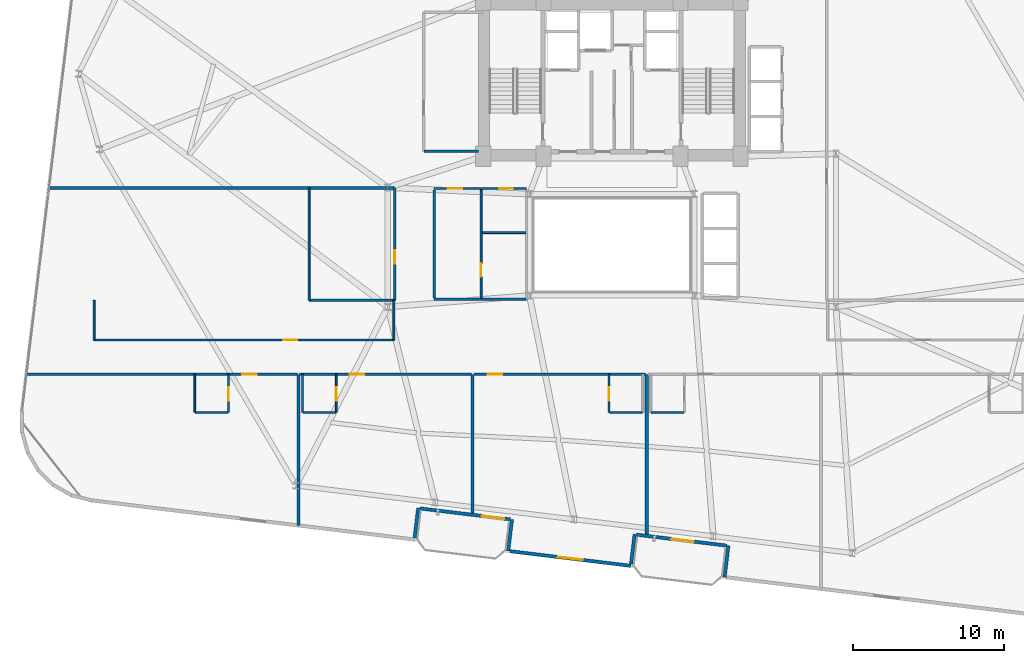
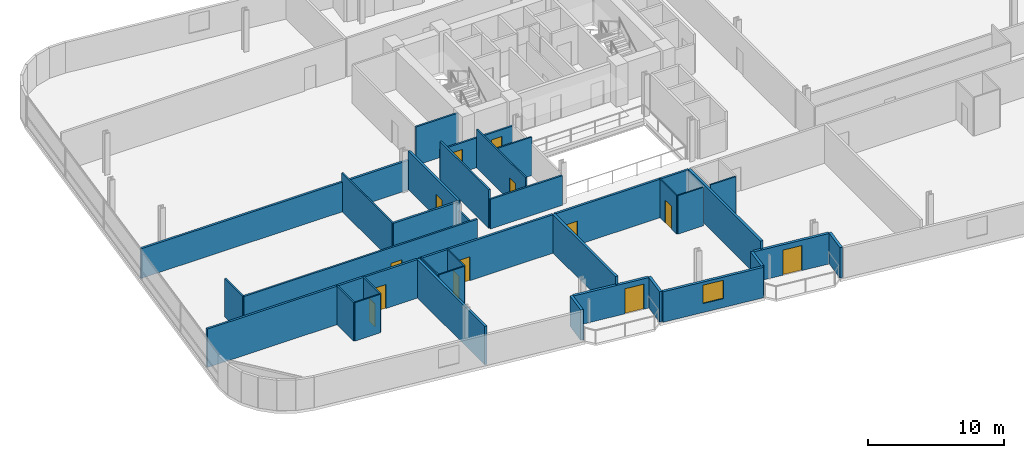
# One storey, part 20 of 25: 35 walls, 13 doors, 1 window, 14 openings.
"""IFC4 building model written with IfcOpenShell, lengths in metres."""

from ifc_helpers import new_model, si_unit, direction, frame, frame_2d, origin, place, context, subcontext, project, spatial, rectangle, extrude, material, layer, layer_set, type_object, element, fill, save


model = new_model("IFC4")

# Units and contexts
model_context = context("Model", 3, precision=1e-05, world=origin(), true_north=direction((0.0, 1.0)))
body_context = subcontext(model_context, "Body", "Model", "MODEL_VIEW")
ifc_project = project(units=[si_unit("LENGTHUNIT", "METRE"), si_unit("AREAUNIT", "SQUARE_METRE"), si_unit("VOLUMEUNIT", "CUBIC_METRE"), si_unit("PLANEANGLEUNIT", "RADIAN"), si_unit("MASSUNIT", "GRAM", prefix="KILO")], contexts=[model_context])

# Site, building, storey
site_placement = place(None, origin())
site = spatial("IfcSite", under=ifc_project, at=site_placement, CompositionType="ELEMENT")
building_placement = place(site_placement, origin())
building = spatial("IfcBuilding", under=site, at=building_placement, Name="Varnelok Gate Tower", CompositionType="ELEMENT")
storey_placement = place(building_placement, frame((0.0, 0.0, 136.5)))
storey = spatial("IfcBuildingStorey", under=building, at=storey_placement, Name="L34", CompositionType="ELEMENT", Elevation=136.5)

# Wall, opening, door
ifc_material_1 = material(Name="Concrete C45/55", Category="concrete")
ifc_layer_1 = layer(ifc_material_1, 0.219970703125)
ifc_layer_set_1 = layer_set([ifc_layer_1], Name="Concrete C45/55")
wall_type_1 = type_object("IfcWallType", Name="EW-BALC-220", PredefinedType="SOLIDWALL", material=ifc_layer_set_1)
wall_1_placement = place(storey_placement, frame((32.48046875, 4.76953125, 0.0), z_axis=(0.0, 0.0, 1.0), x_axis=(-0.992735402148, 0.120318000826, 0.0)))
wall_1 = element("IfcWall", 1, at=wall_1_placement, inside=storey, type_object=wall_type_1, Name="L34 South Terrace Envelope Wall 1", PredefinedType="SOLIDWALL", context=body_context, shape_type="SweptSolid", body=[
    extrude(rectangle(XDim=6.000244140625, YDim=0.219970703125, at=frame_2d((3.0, 0.0))), origin(), (0.0, 0.0, 1.0), 2.72998046875),
])
opening_1_placement = place(wall_1_placement, frame((0.39990234375, 0.0, 0.0)))
opening_1 = element("IfcOpeningElement", 2, at=opening_1_placement, cuts=wall_1, Name="Opening BD-1", PredefinedType="OPENING", context=body_context, shape_type="SweptSolid", body=[
    extrude(rectangle(XDim=1.5, YDim=2.25, at=frame_2d((0.75, 1.125))), frame((0.0, 0.119873046875, 0.0), z_axis=(0.0, -1.0, 0.0), x_axis=(1.0, 0.0, 0.0)), (0.0, 0.0, 1.0), 0.239990234375),
])
ifc_material_2 = material(Name="Anodized Aluminum Alloy 6063-T6", Category="aluminium")
door_type_1 = type_object("IfcDoorType", Name="DR-EXT-BALC1500", OperationType="NOTDEFINED", PredefinedType="DOOR", material=ifc_material_2)
door_1_placement = place(opening_1_placement, origin())
door_1 = element("IfcDoor", 3, at=door_1_placement, inside=storey, type_object=door_type_1, Name="L34 South Balcony Glazed Door 1", OperationType="SINGLE_SWING_RIGHT", OverallHeight=2.25, OverallWidth=1.5, PredefinedType="DOOR", context=body_context, shape_type="SweptSolid", body=[
    extrude(rectangle(XDim=1.5, YDim=2.25, at=frame_2d((0.75, 1.125))), frame((0.0, 0.02490234375, 0.0), z_axis=(0.0, -1.0, 0.0), x_axis=(1.0, 0.0, 0.0)), (0.0, 0.0, 1.0), 0.050048828125),
])
fill(opening_1, door_1)

wall_2_placement = place(storey_placement, frame((46.77587890625, 3.03662109375, 0.0), z_axis=(0.0, 0.0, 1.0), x_axis=(-0.992735402148, 0.120318000826, 0.0)))
wall_2 = element("IfcWall", 4, at=wall_2_placement, inside=storey, type_object=wall_type_1, Name="L34 South Terrace Envelope Wall 2", PredefinedType="SOLIDWALL", context=body_context, shape_type="SweptSolid", body=[
    extrude(rectangle(XDim=6.000244140625, YDim=0.219970703125, at=frame_2d((3.0, 0.0))), origin(), (0.0, 0.0, 1.0), 2.72998046875),
])
opening_2_placement = place(wall_2_placement, frame((2.176025390625, 0.0, 0.0)))
opening_2 = element("IfcOpeningElement", 5, at=opening_2_placement, cuts=wall_2, Name="Opening BD-1", PredefinedType="OPENING", context=body_context, shape_type="SweptSolid", body=[
    extrude(rectangle(XDim=1.5, YDim=2.25, at=frame_2d((0.75, 1.125))), frame((0.0, 0.119873046875, 0.0), z_axis=(0.0, -1.0, 0.0), x_axis=(1.0, 0.0, 0.0)), (0.0, 0.0, 1.0), 0.239990234375),
])
door_2_placement = place(opening_2_placement, origin())
door_2 = element("IfcDoor", 6, at=door_2_placement, inside=storey, type_object=door_type_1, Name="L34 South Balcony Glazed Door 2", OperationType="SINGLE_SWING_LEFT", OverallHeight=2.25, OverallWidth=1.5, PredefinedType="DOOR", context=body_context, shape_type="SweptSolid", body=[
    extrude(rectangle(XDim=1.5, YDim=2.25, at=frame_2d((0.75, 1.125))), frame((0.0, 0.02490234375, 0.0), z_axis=(0.0, -1.0, 0.0), x_axis=(1.0, 0.0, 0.0)), (0.0, 0.0, 1.0), 0.050048828125),
])
fill(opening_2, door_2)

# Walls
wall_3_placement = place(storey_placement, frame((26.16845703125, 3.555419921875, 0.0), z_axis=(0.0, 0.0, 1.0), x_axis=(0.120290754542, 0.992738703976, 0.0)))
element("IfcWall", 7, at=wall_3_placement, inside=storey, type_object=wall_type_1, Name="L34 Perimeter Facade Closure Wall 8", PredefinedType="SOLIDWALL", context=body_context, shape_type="SweptSolid", body=[
    extrude(rectangle(XDim=1.974853515625, YDim=0.219970703125, at=frame_2d((0.9873046875, 0.0))), origin(), (0.0, 0.0, 1.0), 2.72998046875),
])
wall_4_placement = place(storey_placement, frame((32.600830078125, 4.764892578125, 0.0), z_axis=(0.0, 0.0, 1.0), x_axis=(-0.120327895535, -0.992734202874, 0.0)))
element("IfcWall", 8, at=wall_4_placement, inside=storey, type_object=wall_type_1, Name="L34 Perimeter Facade Closure Wall 9", PredefinedType="SOLIDWALL", context=body_context, shape_type="SweptSolid", body=[
    extrude(rectangle(XDim=2.099853515625, YDim=0.219970703125, at=frame_2d((1.0498046875, 0.0))), origin(), (0.0, 0.0, 1.0), 2.72998046875),
])

# Wall, opening, window
wall_5_placement = place(storey_placement, frame((32.47216796875, 2.6650390625, 0.0), z_axis=(0.0, 0.0, 1.0), x_axis=(0.992734661931, -0.120324108143, 0.0)))
wall_5 = element("IfcWall", 9, at=wall_5_placement, inside=storey, type_object=wall_type_1, Name="L34 Perimeter Facade Closure Wall 10", PredefinedType="SOLIDWALL", context=body_context, shape_type="SweptSolid", body=[
    extrude(rectangle(XDim=8.034912109375, YDim=0.219970703125, at=frame_2d((4.017578125, 0.0))), origin(), (0.0, 0.0, 1.0), 2.72998046875),
])
opening_3_placement = place(wall_5_placement, frame((3.1923828125, 0.0, 0.800048828125)))
opening_3 = element("IfcOpeningElement", 10, at=opening_3_placement, cuts=wall_5, Name="Opening WN3", PredefinedType="OPENING", context=body_context, shape_type="SweptSolid", body=[
    extrude(rectangle(XDim=1.64990234375, YDim=1.64990234375, at=frame_2d((0.824951171875, 0.824951171875))), frame((0.0, 0.119873046875, 0.0), z_axis=(0.0, -1.0, 0.0), x_axis=(1.0, 0.0, 0.0)), (0.0, 0.0, 1.0), 0.239990234375),
])
ifc_material_3 = material(Name="Low-E Laminated Double Glazing IGU", Category="glass")
window_type = type_object("IfcWindowType", Name="WN-HTL-1650", PartitioningType="SINGLE_PANEL", PredefinedType="WINDOW", material=ifc_material_3)
window_placement = place(opening_3_placement, origin())
window = element("IfcWindow", 11, at=window_placement, inside=storey, type_object=window_type, Name="L34 Perimeter Vision Window 10", OverallHeight=1.64990234375, OverallWidth=1.64990234375, PartitioningType="SINGLE_PANEL", PredefinedType="WINDOW", context=body_context, shape_type="SweptSolid", body=[
    extrude(rectangle(XDim=1.64990234375, YDim=1.64990234375, at=frame_2d((0.824951171875, 0.824951171875))), frame((0.0, 0.030029296875, 0.0), z_axis=(0.0, -1.0, 0.0), x_axis=(1.0, 0.0, 0.0)), (0.0, 0.0, 1.0), 0.06005859375),
])
fill(opening_3, window)

# Walls
wall_6_placement = place(storey_placement, frame((40.4638671875, 1.822265625, 0.0), z_axis=(0.0, 0.0, 1.0), x_axis=(0.120275992932, 0.992740492538, 0.0)))
element("IfcWall", 12, at=wall_6_placement, inside=storey, type_object=wall_type_1, Name="L34 Perimeter Facade Closure Wall 11", PredefinedType="SOLIDWALL", context=body_context, shape_type="SweptSolid", body=[
    extrude(rectangle(XDim=1.97509765625, YDim=0.219970703125, at=frame_2d((0.987548828125, 0.0))), origin(), (0.0, 0.0, 1.0), 2.72998046875),
])
wall_7_placement = place(storey_placement, frame((46.89599609375, 3.031982421875, 0.0), z_axis=(0.0, 0.0, 1.0), x_axis=(-0.120327895535, -0.992734202874, 0.0)))
element("IfcWall", 13, at=wall_7_placement, inside=storey, type_object=wall_type_1, Name="L34 Perimeter Facade Closure Wall 12", PredefinedType="SOLIDWALL", context=body_context, shape_type="SweptSolid", body=[
    extrude(rectangle(XDim=2.099853515625, YDim=0.219970703125, at=frame_2d((1.0498046875, 0.0))), origin(), (0.0, 0.0, 1.0), 2.72998046875),
])

# Wall, opening, door
ifc_material_4 = material(Name="Gypsum Plasterboard Acoustic Partition", Category="gypsum")
ifc_layer_2 = layer(ifc_material_4, 0.179931640625)
ifc_layer_set_2 = layer_set([ifc_layer_2], Name="Gypsum Plasterboard Acoustic Partition")
wall_type_2 = type_object("IfcWallType", Name="PW-CORR-180", PredefinedType="PARTITIONING", material=ifc_layer_set_2)
wall_8_placement = place(storey_placement, frame((0.581298828125, 14.35009765625, 0.0), z_axis=(0.0, 0.0, 1.0), x_axis=(1.0, 0.0, 0.0)))
wall_8 = element("IfcWall", 14, at=wall_8_placement, inside=storey, type_object=wall_type_2, Name="Interior Partition", PredefinedType="PARTITIONING", context=body_context, shape_type="SweptSolid", body=[
    extrude(rectangle(XDim=17.838623046875, YDim=0.179931640625, at=frame_2d((8.91943359375, 0.0))), origin(), (0.0, 0.0, 1.0), 3.449951171875),
])
opening_4_placement = place(wall_8_placement, frame((14.195556640625, 0.0, 0.0)))
opening_4 = element("IfcOpeningElement", 15, at=opening_4_placement, cuts=wall_8, Name="Opening D-HT", PredefinedType="OPENING", context=body_context, shape_type="SweptSolid", body=[
    extrude(rectangle(XDim=0.949951171875, YDim=2.14990234375, at=frame_2d((0.47509765625, 1.074951171875))), frame((0.0, 0.099853515625, 0.0), z_axis=(0.0, -1.0, 0.0), x_axis=(1.0, 0.0, 0.0)), (0.0, 0.0, 1.0), 0.199951171875),
])
ifc_material_5 = material(Name="Engineered Hardwood Timber", Category="wood")
door_type_2 = type_object("IfcDoorType", Name="DR-HTL-950", OperationType="NOTDEFINED", PredefinedType="DOOR", material=ifc_material_5)
door_3_placement = place(opening_4_placement, origin())
door_3 = element("IfcDoor", 16, at=door_3_placement, inside=storey, type_object=door_type_2, Name="L34 Guest Room 01 Entrance Door", OperationType="SINGLE_SWING_RIGHT", OverallHeight=2.14990234375, OverallWidth=0.949951171875, PredefinedType="DOOR", context=body_context, shape_type="SweptSolid", body=[
    extrude(rectangle(XDim=0.949951171875, YDim=2.14990234375, at=frame_2d((0.47509765625, 1.074951171875))), frame((0.0, 0.02490234375, 0.0), z_axis=(0.0, -1.0, 0.0), x_axis=(1.0, 0.0, 0.0)), (0.0, 0.0, 1.0), 0.050048828125),
])
fill(opening_4, door_3)

wall_9_placement = place(storey_placement, frame((18.580078125, 14.35009765625, 0.0), z_axis=(0.0, 0.0, 1.0), x_axis=(1.0, 0.0, 0.0)))
wall_9 = element("IfcWall", 17, at=wall_9_placement, inside=storey, type_object=wall_type_2, Name="Interior Partition", PredefinedType="PARTITIONING", context=body_context, shape_type="SweptSolid", body=[
    extrude(rectangle(XDim=11.33984375, YDim=0.179931640625, at=frame_2d((5.669921875, 0.0))), origin(), (0.0, 0.0, 1.0), 3.449951171875),
])
opening_5_placement = place(wall_9_placement, frame((3.313232421875, 0.0, 0.0)))
opening_5 = element("IfcOpeningElement", 18, at=opening_5_placement, cuts=wall_9, Name="Opening D-HT", PredefinedType="OPENING", context=body_context, shape_type="SweptSolid", body=[
    extrude(rectangle(XDim=0.949951171875, YDim=2.14990234375, at=frame_2d((0.47509765625, 1.074951171875))), frame((0.0, 0.099853515625, 0.0), z_axis=(0.0, -1.0, 0.0), x_axis=(1.0, 0.0, 0.0)), (0.0, 0.0, 1.0), 0.199951171875),
])
door_4_placement = place(opening_5_placement, origin())
door_4 = element("IfcDoor", 19, at=door_4_placement, inside=storey, type_object=door_type_2, Name="L34 Guest Room 02 Entrance Door", OperationType="SINGLE_SWING_LEFT", OverallHeight=2.14990234375, OverallWidth=0.949951171875, PredefinedType="DOOR", context=body_context, shape_type="SweptSolid", body=[
    extrude(rectangle(XDim=0.949951171875, YDim=2.14990234375, at=frame_2d((0.47509765625, 1.074951171875))), frame((0.0, 0.02490234375, 0.0), z_axis=(0.0, -1.0, 0.0), x_axis=(1.0, 0.0, 0.0)), (0.0, 0.0, 1.0), 0.050048828125),
])
fill(opening_5, door_4)

wall_10_placement = place(storey_placement, frame((30.080078125, 14.35009765625, 0.0), z_axis=(0.0, 0.0, 1.0), x_axis=(1.0, 0.0, 0.0)))
wall_10 = element("IfcWall", 20, at=wall_10_placement, inside=storey, type_object=wall_type_2, Name="Interior Partition", PredefinedType="PARTITIONING", context=body_context, shape_type="SweptSolid", body=[
    extrude(rectangle(XDim=11.33984375, YDim=0.179931640625, at=frame_2d((5.669921875, 0.0))), origin(), (0.0, 0.0, 1.0), 3.449951171875),
])
opening_6_placement = place(wall_10_placement, frame((0.92333984375, 0.0, 0.0)))
opening_6 = element("IfcOpeningElement", 21, at=opening_6_placement, cuts=wall_10, Name="Opening D-HT", PredefinedType="OPENING", context=body_context, shape_type="SweptSolid", body=[
    extrude(rectangle(XDim=0.949951171875, YDim=2.14990234375, at=frame_2d((0.47509765625, 1.074951171875))), frame((0.0, 0.099853515625, 0.0), z_axis=(0.0, -1.0, 0.0), x_axis=(1.0, 0.0, 0.0)), (0.0, 0.0, 1.0), 0.199951171875),
])
door_5_placement = place(opening_6_placement, origin())
door_5 = element("IfcDoor", 22, at=door_5_placement, inside=storey, type_object=door_type_2, Name="L34 Guest Room 03 Entrance Door", OperationType="SINGLE_SWING_RIGHT", OverallHeight=2.14990234375, OverallWidth=0.949951171875, PredefinedType="DOOR", context=body_context, shape_type="SweptSolid", body=[
    extrude(rectangle(XDim=0.949951171875, YDim=2.14990234375, at=frame_2d((0.47509765625, 1.074951171875))), frame((0.0, 0.02490234375, 0.0), z_axis=(0.0, -1.0, 0.0), x_axis=(1.0, 0.0, 0.0)), (0.0, 0.0, 1.0), 0.050048828125),
])
fill(opening_6, door_5)

wall_11_placement = place(storey_placement, frame((24.85009765625, 19.239990234375, 0.0), z_axis=(0.0, 0.0, 1.0), x_axis=(0.0, 1.0, 0.0)))
wall_11 = element("IfcWall", 23, at=wall_11_placement, inside=storey, type_object=wall_type_2, Name="Interior Partition", PredefinedType="PARTITIONING", context=body_context, shape_type="SweptSolid", body=[
    extrude(rectangle(XDim=7.419921875, YDim=0.179931640625, at=frame_2d((3.7099609375, 0.0))), origin(), (0.0, 0.0, 1.0), 3.449951171875),
])
opening_7_placement = place(wall_11_placement, frame((2.39990234375, 0.0, 0.0)))
opening_7 = element("IfcOpeningElement", 24, at=opening_7_placement, cuts=wall_11, Name="Opening D-I3", PredefinedType="OPENING", context=body_context, shape_type="SweptSolid", body=[
    extrude(rectangle(XDim=0.919921875, YDim=2.050048828125, at=frame_2d((0.4599609375, 1.02490234375))), frame((0.0, 0.099853515625, 0.0), z_axis=(0.0, -1.0, 0.0), x_axis=(1.0, 0.0, 0.0)), (0.0, 0.0, 1.0), 0.199951171875),
])
door_type_3 = type_object("IfcDoorType", Name="DR-INT-920", OperationType="NOTDEFINED", PredefinedType="DOOR", material=ifc_material_5)
door_6_placement = place(opening_7_placement, origin())
door_6 = element("IfcDoor", 25, at=door_6_placement, inside=storey, type_object=door_type_3, Name="L34 West Playroom Door", OperationType="SINGLE_SWING_LEFT", OverallHeight=2.050048828125, OverallWidth=0.919921875, PredefinedType="DOOR", context=body_context, shape_type="SweptSolid", body=[
    extrude(rectangle(XDim=0.919921875, YDim=2.050048828125, at=frame_2d((0.4599609375, 1.02490234375))), frame((0.0, 0.02490234375, 0.0), z_axis=(0.0, -1.0, 0.0), x_axis=(1.0, 0.0, 0.0)), (0.0, 0.0, 1.0), 0.050048828125),
])
fill(opening_7, door_6)

# Walls
wall_12_placement = place(storey_placement, frame((19.199951171875, 19.239990234375, 0.0), z_axis=(0.0, 0.0, 1.0), x_axis=(1.0, 0.0, 0.0)))
element("IfcWall", 26, at=wall_12_placement, inside=storey, type_object=wall_type_2, Name="Interior Partition", PredefinedType="PARTITIONING", context=body_context, shape_type="SweptSolid", body=[
    extrude(rectangle(XDim=5.650146484375, YDim=0.179931640625, at=frame_2d((2.8251953125, 0.0))), origin(), (0.0, 0.0, 1.0), 3.449951171875),
])
wall_13_placement = place(storey_placement, frame((2.073486328125, 26.659912109375, 0.0), z_axis=(0.0, 0.0, 1.0), x_axis=(1.0, 0.0, 0.0)))
element("IfcWall", 27, at=wall_13_placement, inside=storey, type_object=wall_type_2, Name="Interior Partition", PredefinedType="PARTITIONING", context=body_context, shape_type="SweptSolid", body=[
    extrude(rectangle(XDim=22.776611328125, YDim=0.179931640625, at=frame_2d((11.38818359375, 0.0))), origin(), (0.0, 0.0, 1.0), 2.662109375),
])
ifc_layer_3 = layer(ifc_material_4, 0.114990234375)
ifc_layer_set_3 = layer_set([ifc_layer_3], Name="Gypsum Plasterboard Acoustic Partition")
wall_type_3 = type_object("IfcWallType", Name="PW-ENS-125", PredefinedType="PARTITIONING", material=ifc_layer_set_3)
wall_14_placement = place(storey_placement, frame((11.679931640625, 11.830078125, 0.0), z_axis=(0.0, 0.0, 1.0), x_axis=(1.0, 0.0, 0.0)))
element("IfcWall", 28, at=wall_14_placement, inside=storey, type_object=wall_type_3, Name="Interior Partition", PredefinedType="PARTITIONING", context=body_context, shape_type="SweptSolid", body=[
    extrude(rectangle(XDim=2.150146484375, YDim=0.114990234375, at=frame_2d((1.0751953125, 0.0))), origin(), (0.0, 0.0, 1.0), 3.449951171875),
])

# Wall, opening, door
wall_15_placement = place(storey_placement, frame((13.8701171875, 11.830078125, 0.0), z_axis=(0.0, 0.0, 1.0), x_axis=(0.0, 1.0, 0.0)))
wall_15 = element("IfcWall", 29, at=wall_15_placement, inside=storey, type_object=wall_type_3, Name="Interior Partition", PredefinedType="PARTITIONING", context=body_context, shape_type="SweptSolid", body=[
    extrude(rectangle(XDim=2.52001953125, YDim=0.114990234375, at=frame_2d((1.260009765625, 0.0))), origin(), (0.0, 0.0, 1.0), 3.449951171875),
])
opening_8_placement = place(wall_15_placement, frame((0.760009765625, 0.0, 0.0)))
opening_8 = element("IfcOpeningElement", 30, at=opening_8_placement, cuts=wall_15, Name="Opening D-WC", PredefinedType="OPENING", context=body_context, shape_type="SweptSolid", body=[
    extrude(rectangle(XDim=0.89990234375, YDim=2.050048828125, at=frame_2d((0.449951171875, 1.02490234375))), frame((0.0, 0.0673828125, 0.0), z_axis=(0.0, -1.0, 0.0), x_axis=(1.0, 0.0, 0.0)), (0.0, 0.0, 1.0), 0.135009765625),
])
door_type_4 = type_object("IfcDoorType", Name="DR-BATH-900", OperationType="NOTDEFINED", PredefinedType="DOOR", material=ifc_material_5)
door_7_placement = place(opening_8_placement, origin())
door_7 = element("IfcDoor", 31, at=door_7_placement, inside=storey, type_object=door_type_4, Name="L34 Guest En-Suite 01 Door", OperationType="SINGLE_SWING_LEFT", OverallHeight=2.050048828125, OverallWidth=0.89990234375, PredefinedType="DOOR", context=body_context, shape_type="SweptSolid", body=[
    extrude(rectangle(XDim=0.89990234375, YDim=2.050048828125, at=frame_2d((0.449951171875, 1.02490234375))), frame((0.0, 0.02490234375, 0.0), z_axis=(0.0, -1.0, 0.0), x_axis=(1.0, 0.0, 0.0)), (0.0, 0.0, 1.0), 0.050048828125),
])
fill(opening_8, door_7)

# Walls
wall_16_placement = place(storey_placement, frame((11.639892578125, 11.830078125, 0.0), z_axis=(0.0, 0.0, 1.0), x_axis=(0.0, 1.0, 0.0)))
element("IfcWall", 32, at=wall_16_placement, inside=storey, type_object=wall_type_3, Name="Interior Partition", PredefinedType="PARTITIONING", context=body_context, shape_type="SweptSolid", body=[
    extrude(rectangle(XDim=2.52001953125, YDim=0.114990234375, at=frame_2d((1.260009765625, 0.0))), origin(), (0.0, 0.0, 1.0), 3.449951171875),
])
wall_17_placement = place(storey_placement, frame((18.800048828125, 11.830078125, 0.0), z_axis=(0.0, 0.0, 1.0), x_axis=(1.0, 0.0, 0.0)))
element("IfcWall", 33, at=wall_17_placement, inside=storey, type_object=wall_type_3, Name="Interior Partition", PredefinedType="PARTITIONING", context=body_context, shape_type="SweptSolid", body=[
    extrude(rectangle(XDim=2.14990234375, YDim=0.114990234375, at=frame_2d((1.074951171875, 0.0))), origin(), (0.0, 0.0, 1.0), 3.449951171875),
])

# Wall, opening, door
wall_18_placement = place(storey_placement, frame((20.989990234375, 11.830078125, 0.0), z_axis=(0.0, 0.0, 1.0), x_axis=(0.0, 1.0, 0.0)))
wall_18 = element("IfcWall", 34, at=wall_18_placement, inside=storey, type_object=wall_type_3, Name="Interior Partition", PredefinedType="PARTITIONING", context=body_context, shape_type="SweptSolid", body=[
    extrude(rectangle(XDim=2.52001953125, YDim=0.114990234375, at=frame_2d((1.260009765625, 0.0))), origin(), (0.0, 0.0, 1.0), 3.449951171875),
])
opening_9_placement = place(wall_18_placement, frame((0.760009765625, 0.0, 0.0)))
opening_9 = element("IfcOpeningElement", 35, at=opening_9_placement, cuts=wall_18, Name="Opening D-WC", PredefinedType="OPENING", context=body_context, shape_type="SweptSolid", body=[
    extrude(rectangle(XDim=0.89990234375, YDim=2.050048828125, at=frame_2d((0.449951171875, 1.02490234375))), frame((0.0, 0.0673828125, 0.0), z_axis=(0.0, -1.0, 0.0), x_axis=(1.0, 0.0, 0.0)), (0.0, 0.0, 1.0), 0.135009765625),
])
door_8_placement = place(opening_9_placement, origin())
door_8 = element("IfcDoor", 36, at=door_8_placement, inside=storey, type_object=door_type_4, Name="L34 Guest En-Suite 02 Door", OperationType="SINGLE_SWING_LEFT", OverallHeight=2.050048828125, OverallWidth=0.89990234375, PredefinedType="DOOR", context=body_context, shape_type="SweptSolid", body=[
    extrude(rectangle(XDim=0.89990234375, YDim=2.050048828125, at=frame_2d((0.449951171875, 1.02490234375))), frame((0.0, 0.02490234375, 0.0), z_axis=(0.0, -1.0, 0.0), x_axis=(1.0, 0.0, 0.0)), (0.0, 0.0, 1.0), 0.050048828125),
])
fill(opening_9, door_8)

# Walls
wall_19_placement = place(storey_placement, frame((18.760009765625, 11.830078125, 0.0), z_axis=(0.0, 0.0, 1.0), x_axis=(0.0, 1.0, 0.0)))
element("IfcWall", 37, at=wall_19_placement, inside=storey, type_object=wall_type_3, Name="Interior Partition", PredefinedType="PARTITIONING", context=body_context, shape_type="SweptSolid", body=[
    extrude(rectangle(XDim=2.52001953125, YDim=0.114990234375, at=frame_2d((1.260009765625, 0.0))), origin(), (0.0, 0.0, 1.0), 3.449951171875),
])
wall_20_placement = place(storey_placement, frame((39.050048828125, 11.830078125, 0.0), z_axis=(0.0, 0.0, 1.0), x_axis=(1.0, 0.0, 0.0)))
element("IfcWall", 38, at=wall_20_placement, inside=storey, type_object=wall_type_3, Name="Interior Partition", PredefinedType="PARTITIONING", context=body_context, shape_type="SweptSolid", body=[
    extrude(rectangle(XDim=2.14990234375, YDim=0.114990234375, at=frame_2d((1.074951171875, 0.0))), origin(), (0.0, 0.0, 1.0), 3.449951171875),
])

# Wall, opening, door
wall_21_placement = place(storey_placement, frame((39.010009765625, 11.830078125, 0.0), z_axis=(0.0, 0.0, 1.0), x_axis=(0.0, 1.0, 0.0)))
wall_21 = element("IfcWall", 39, at=wall_21_placement, inside=storey, type_object=wall_type_3, Name="Interior Partition", PredefinedType="PARTITIONING", context=body_context, shape_type="SweptSolid", body=[
    extrude(rectangle(XDim=2.52001953125, YDim=0.114990234375, at=frame_2d((1.260009765625, 0.0))), origin(), (0.0, 0.0, 1.0), 3.449951171875),
])
opening_10_placement = place(wall_21_placement, frame((0.760009765625, 0.0, 0.0)))
opening_10 = element("IfcOpeningElement", 40, at=opening_10_placement, cuts=wall_21, Name="Opening D-WC", PredefinedType="OPENING", context=body_context, shape_type="SweptSolid", body=[
    extrude(rectangle(XDim=0.89990234375, YDim=2.050048828125, at=frame_2d((0.449951171875, 1.02490234375))), frame((0.0, 0.0673828125, 0.0), z_axis=(0.0, -1.0, 0.0), x_axis=(1.0, 0.0, 0.0)), (0.0, 0.0, 1.0), 0.135009765625),
])
door_9_placement = place(opening_10_placement, origin())
door_9 = element("IfcDoor", 41, at=door_9_placement, inside=storey, type_object=door_type_4, Name="L34 Guest En-Suite 03 Door", OperationType="SINGLE_SWING_RIGHT", OverallHeight=2.050048828125, OverallWidth=0.89990234375, PredefinedType="DOOR", context=body_context, shape_type="SweptSolid", body=[
    extrude(rectangle(XDim=0.89990234375, YDim=2.050048828125, at=frame_2d((0.449951171875, 1.02490234375))), frame((0.0, 0.02490234375, 0.0), z_axis=(0.0, -1.0, 0.0), x_axis=(1.0, 0.0, 0.0)), (0.0, 0.0, 1.0), 0.050048828125),
])
fill(opening_10, door_9)

# Walls
wall_22_placement = place(storey_placement, frame((41.800048828125, 11.830078125, 0.0), z_axis=(0.0, 0.0, 1.0), x_axis=(1.0, 0.0, 0.0)))
element("IfcWall", 42, at=wall_22_placement, inside=storey, type_object=wall_type_3, Name="Interior Partition", PredefinedType="PARTITIONING", context=body_context, shape_type="SweptSolid", body=[
    extrude(rectangle(XDim=2.14990234375, YDim=0.114990234375, at=frame_2d((1.074951171875, 0.0))), origin(), (0.0, 0.0, 1.0), 3.449951171875),
])
ifc_layer_4 = layer(ifc_material_4, 0.125)
ifc_layer_set_4 = layer_set([ifc_layer_4], Name="Gypsum Plasterboard Acoustic Partition")
wall_type_4 = type_object("IfcWallType", Name="PW-PART-125", PredefinedType="PARTITIONING", material=ifc_layer_set_4)
wall_23_placement = place(storey_placement, frame((5.0, 16.610107421875, 0.0), z_axis=(0.0, 0.0, 1.0), x_axis=(0.0, 1.0, 0.0)))
element("IfcWall", 43, at=wall_23_placement, inside=storey, type_object=wall_type_4, Name="Interior Partition", PredefinedType="PARTITIONING", context=body_context, shape_type="SweptSolid", body=[
    extrude(rectangle(XDim=2.6298828125, YDim=0.125, at=frame_2d((1.31494140625, 0.0))), origin(), (0.0, 0.0, 1.0), 3.449951171875),
])
wall_24_placement = place(storey_placement, frame((24.800048828125, 16.610107421875, 0.0), z_axis=(0.0, 0.0, 1.0), x_axis=(0.0, 1.0, 0.0)))
element("IfcWall", 44, at=wall_24_placement, inside=storey, type_object=wall_type_4, Name="Interior Partition", PredefinedType="PARTITIONING", context=body_context, shape_type="SweptSolid", body=[
    extrude(rectangle(XDim=2.6298828125, YDim=0.125, at=frame_2d((1.31494140625, 0.0))), origin(), (0.0, 0.0, 1.0), 2.662109375),
])
wall_25_placement = place(storey_placement, frame((19.199951171875, 19.239990234375, 0.0), z_axis=(0.0, 0.0, 1.0), x_axis=(0.0, 1.0, 0.0)))
element("IfcWall", 45, at=wall_25_placement, inside=storey, type_object=wall_type_4, Name="Interior Partition", PredefinedType="PARTITIONING", context=body_context, shape_type="SweptSolid", body=[
    extrude(rectangle(XDim=7.419921875, YDim=0.125, at=frame_2d((3.7099609375, 0.0))), origin(), (0.0, 0.0, 1.0), 3.449951171875),
])

# Wall, opening, door
wall_26_placement = place(storey_placement, frame((30.56005859375, 19.3798828125, 0.0), z_axis=(0.0, 0.0, 1.0), x_axis=(0.0, 1.0, 0.0)))
wall_26 = element("IfcWall", 46, at=wall_26_placement, inside=storey, type_object=wall_type_4, Name="Interior Partition", PredefinedType="PARTITIONING", context=body_context, shape_type="SweptSolid", body=[
    extrude(rectangle(XDim=7.16015625, YDim=0.125, at=frame_2d((3.580078125, 0.0))), origin(), (0.0, 0.0, 1.0), 3.449951171875),
])
opening_11_placement = place(wall_26_placement, frame((1.39990234375, 0.0, 0.0)))
opening_11 = element("IfcOpeningElement", 47, at=opening_11_placement, cuts=wall_26, Name="Opening D-I3", PredefinedType="OPENING", context=body_context, shape_type="SweptSolid", body=[
    extrude(rectangle(XDim=0.919921875, YDim=2.050048828125, at=frame_2d((0.4599609375, 1.02490234375))), frame((0.0, 0.072509765625, 0.0), z_axis=(0.0, -1.0, 0.0), x_axis=(1.0, 0.0, 0.0)), (0.0, 0.0, 1.0), 0.14501953125),
])
door_10_placement = place(opening_11_placement, origin())
door_10 = element("IfcDoor", 48, at=door_10_placement, inside=storey, type_object=door_type_3, Name="L34 Floor Linen Store Door", OperationType="SINGLE_SWING_RIGHT", OverallHeight=2.050048828125, OverallWidth=0.919921875, PredefinedType="DOOR", context=body_context, shape_type="SweptSolid", body=[
    extrude(rectangle(XDim=0.919921875, YDim=2.050048828125, at=frame_2d((0.4599609375, 1.02490234375))), frame((0.0, 0.02490234375, 0.0), z_axis=(0.0, -1.0, 0.0), x_axis=(1.0, 0.0, 0.0)), (0.0, 0.0, 1.0), 0.050048828125),
])
fill(opening_11, door_10)

# Wall
wall_27_placement = place(storey_placement, frame((30.639892578125, 23.7099609375, 0.0), z_axis=(0.0, 0.0, 1.0), x_axis=(1.0, 0.0, 0.0)))
element("IfcWall", 49, at=wall_27_placement, inside=storey, type_object=wall_type_4, Name="Interior Partition", PredefinedType="PARTITIONING", context=body_context, shape_type="SweptSolid", body=[
    extrude(rectangle(XDim=2.880126953125, YDim=0.125, at=frame_2d((1.43994140625, 0.0))), origin(), (0.0, 0.0, 1.0), 3.449951171875),
])

# Wall, opening, door
ifc_layer_5 = layer(ifc_material_4, 0.14990234375)
ifc_layer_set_5 = layer_set([ifc_layer_5], Name="Gypsum Plasterboard Acoustic Partition")
wall_type_5 = type_object("IfcWallType", Name="PW-PART-150", PredefinedType="PARTITIONING", material=ifc_layer_set_5)
wall_28_placement = place(storey_placement, frame((5.0, 16.610107421875, 0.0), z_axis=(0.0, 0.0, 1.0), x_axis=(1.0, 0.0, 0.0)))
wall_28 = element("IfcWall", 50, at=wall_28_placement, inside=storey, type_object=wall_type_5, Name="Interior Partition", PredefinedType="PARTITIONING", context=body_context, shape_type="SweptSolid", body=[
    extrude(rectangle(XDim=19.800048828125, YDim=0.14990234375, at=frame_2d((9.89990234375, 0.0))), origin(), (0.0, 0.0, 1.0), 3.449951171875),
])
opening_12_placement = place(wall_28_placement, frame((12.485107421875, 0.0, 0.0)))
opening_12 = element("IfcOpeningElement", 51, at=opening_12_placement, cuts=wall_28, Name="Opening D-I3", PredefinedType="OPENING", context=body_context, shape_type="SweptSolid", body=[
    extrude(rectangle(XDim=0.919921875, YDim=2.050048828125, at=frame_2d((0.4599609375, 1.02490234375))), frame((0.0, 0.0849609375, 0.0), z_axis=(0.0, -1.0, 0.0), x_axis=(1.0, 0.0, 0.0)), (0.0, 0.0, 1.0), 0.169921875),
])
door_11_placement = place(opening_12_placement, origin())
door_11 = element("IfcDoor", 52, at=door_11_placement, inside=storey, type_object=door_type_3, Name="L34 Atrium Room 1 Door", OperationType="SINGLE_SWING_LEFT", OverallHeight=2.050048828125, OverallWidth=0.919921875, PredefinedType="DOOR", context=body_context, shape_type="SweptSolid", body=[
    extrude(rectangle(XDim=0.919921875, YDim=2.050048828125, at=frame_2d((0.4599609375, 1.02490234375))), frame((0.0, 0.02490234375, 0.0), z_axis=(0.0, -1.0, 0.0), x_axis=(1.0, 0.0, 0.0)), (0.0, 0.0, 1.0), 0.050048828125),
])
fill(opening_12, door_11)

# Wall, openings, doors
wall_29_placement = place(storey_placement, frame((27.4599609375, 26.6201171875, 0.0), z_axis=(0.0, 0.0, 1.0), x_axis=(1.0, 0.0, 0.0)))
wall_29 = element("IfcWall", 53, at=wall_29_placement, inside=storey, type_object=wall_type_5, Name="Interior Partition", PredefinedType="PARTITIONING", context=body_context, shape_type="SweptSolid", body=[
    extrude(rectangle(XDim=6.10009765625, YDim=0.14990234375, at=frame_2d((3.050048828125, 0.0))), origin(), (0.0, 0.0, 1.0), 2.662109375),
])
opening_13_placement = place(wall_29_placement, frame((0.89990234375, 0.0, 0.0)))
opening_13 = element("IfcOpeningElement", 54, at=opening_13_placement, cuts=wall_29, Name="Opening D-I2", PredefinedType="OPENING", context=body_context, shape_type="SweptSolid", body=[
    extrude(rectangle(XDim=0.949951171875, YDim=2.050048828125, at=frame_2d((0.47509765625, 1.02490234375))), frame((0.0, 0.0849609375, 0.0), z_axis=(0.0, -1.0, 0.0), x_axis=(1.0, 0.0, 0.0)), (0.0, 0.0, 1.0), 0.169921875),
])
opening_14_placement = place(wall_29_placement, frame((4.302978515625, 0.0, 0.0)))
opening_14 = element("IfcOpeningElement", 55, at=opening_14_placement, cuts=wall_29, Name="Opening D-WC", PredefinedType="OPENING", context=body_context, shape_type="SweptSolid", body=[
    extrude(rectangle(XDim=0.89990234375, YDim=2.050048828125, at=frame_2d((0.449951171875, 1.02490234375))), frame((0.0, 0.0849609375, 0.0), z_axis=(0.0, -1.0, 0.0), x_axis=(1.0, 0.0, 0.0)), (0.0, 0.0, 1.0), 0.169921875),
])
door_12_placement = place(opening_14_placement, origin())
door_12 = element("IfcDoor", 56, at=door_12_placement, inside=storey, type_object=door_type_4, Name="L34 Accessible Floor WC Door", OperationType="SINGLE_SWING_LEFT", OverallHeight=2.050048828125, OverallWidth=0.89990234375, PredefinedType="DOOR", context=body_context, shape_type="SweptSolid", body=[
    extrude(rectangle(XDim=0.89990234375, YDim=2.050048828125, at=frame_2d((0.449951171875, 1.02490234375))), frame((0.0, 0.02490234375, 0.0), z_axis=(0.0, -1.0, 0.0), x_axis=(1.0, 0.0, 0.0)), (0.0, 0.0, 1.0), 0.050048828125),
])
fill(opening_14, door_12)
door_type_5 = type_object("IfcDoorType", Name="DR-INT-950", OperationType="NOTDEFINED", PredefinedType="DOOR", material=ifc_material_5)
door_13_placement = place(opening_13_placement, origin())
door_13 = element("IfcDoor", 57, at=door_13_placement, inside=storey, type_object=door_type_5, Name="L34 Hotel Business Center Door", OperationType="SINGLE_SWING_RIGHT", OverallHeight=2.050048828125, OverallWidth=0.949951171875, PredefinedType="DOOR", context=body_context, shape_type="SweptSolid", body=[
    extrude(rectangle(XDim=0.949951171875, YDim=2.050048828125, at=frame_2d((0.47509765625, 1.02490234375))), frame((0.0, 0.02490234375, 0.0), z_axis=(0.0, -1.0, 0.0), x_axis=(1.0, 0.0, 0.0)), (0.0, 0.0, 1.0), 0.050048828125),
])
fill(opening_13, door_13)

# Walls
wall_30_placement = place(storey_placement, frame((27.4599609375, 19.300048828125, 0.0), z_axis=(0.0, 0.0, 1.0), x_axis=(1.0, 0.0, 0.0)))
element("IfcWall", 58, at=wall_30_placement, inside=storey, type_object=wall_type_5, Name="Interior Partition", PredefinedType="PARTITIONING", context=body_context, shape_type="SweptSolid", body=[
    extrude(rectangle(XDim=6.10009765625, YDim=0.14990234375, at=frame_2d((3.050048828125, 0.0))), origin(), (0.0, 0.0, 1.0), 2.662109375),
])
wall_31_placement = place(storey_placement, frame((27.4599609375, 19.3798828125, 0.0), z_axis=(0.0, 0.0, 1.0), x_axis=(0.0, 1.0, 0.0)))
element("IfcWall", 59, at=wall_31_placement, inside=storey, type_object=wall_type_5, Name="Interior Partition", PredefinedType="PARTITIONING", context=body_context, shape_type="SweptSolid", body=[
    extrude(rectangle(XDim=7.16015625, YDim=0.14990234375, at=frame_2d((3.580078125, 0.0))), origin(), (0.0, 0.0, 1.0), 3.449951171875),
])
wall_32_placement = place(storey_placement, frame((26.780029296875, 29.080078125, 0.0), z_axis=(0.0, 0.0, 1.0), x_axis=(1.0, 0.0, 0.0)))
element("IfcWall", 60, at=wall_32_placement, inside=storey, type_object=wall_type_5, Name="Interior Partition", PredefinedType="PARTITIONING", context=body_context, shape_type="SweptSolid", body=[
    extrude(rectangle(XDim=3.599853515625, YDim=0.14990234375, at=frame_2d((1.7998046875, 0.0))), origin(), (0.0, 0.0, 1.0), 3.449951171875),
])
ifc_layer_6 = layer(ifc_material_4, 0.205078125)
ifc_layer_set_6 = layer_set([ifc_layer_6], Name="Gypsum Plasterboard Acoustic Partition")
wall_type_6 = type_object("IfcWallType", Name="PW-PARTY-200", PredefinedType="PARTITIONING", material=ifc_layer_set_6)
wall_33_placement = place(storey_placement, frame((18.5, 4.379150390625, 0.0), z_axis=(0.0, 0.0, 1.0), x_axis=(0.0, 1.0, 0.0)))
element("IfcWall", 61, at=wall_33_placement, inside=storey, type_object=wall_type_6, Name="L34 South Party Wall 1", PredefinedType="PARTITIONING", context=body_context, shape_type="SweptSolid", body=[
    extrude(rectangle(XDim=9.970947265625, YDim=0.205078125, at=frame_2d((4.9853515625, 0.0))), origin(), (0.0, 0.0, 1.0), 3.449951171875),
])
wall_34_placement = place(storey_placement, frame((30.0, 5.100341796875, 0.0), z_axis=(0.0, 0.0, 1.0), x_axis=(0.0, 1.0, 0.0)))
element("IfcWall", 62, at=wall_34_placement, inside=storey, type_object=wall_type_6, Name="L34 South Party Wall 2", PredefinedType="PARTITIONING", context=body_context, shape_type="SweptSolid", body=[
    extrude(rectangle(XDim=9.249755859375, YDim=0.205078125, at=frame_2d((4.625, 0.0))), origin(), (0.0, 0.0, 1.0), 3.449951171875),
])
wall_35_placement = place(storey_placement, frame((41.5, 3.706298828125, 0.0), z_axis=(0.0, 0.0, 1.0), x_axis=(0.0, 1.0, 0.0)))
element("IfcWall", 63, at=wall_35_placement, inside=storey, type_object=wall_type_6, Name="L34 South Party Wall 3", PredefinedType="PARTITIONING", context=body_context, shape_type="SweptSolid", body=[
    extrude(rectangle(XDim=10.643798828125, YDim=0.205078125, at=frame_2d((5.32177734375, 0.0))), origin(), (0.0, 0.0, 1.0), 3.449951171875),
])

save(model, "model.ifc")
